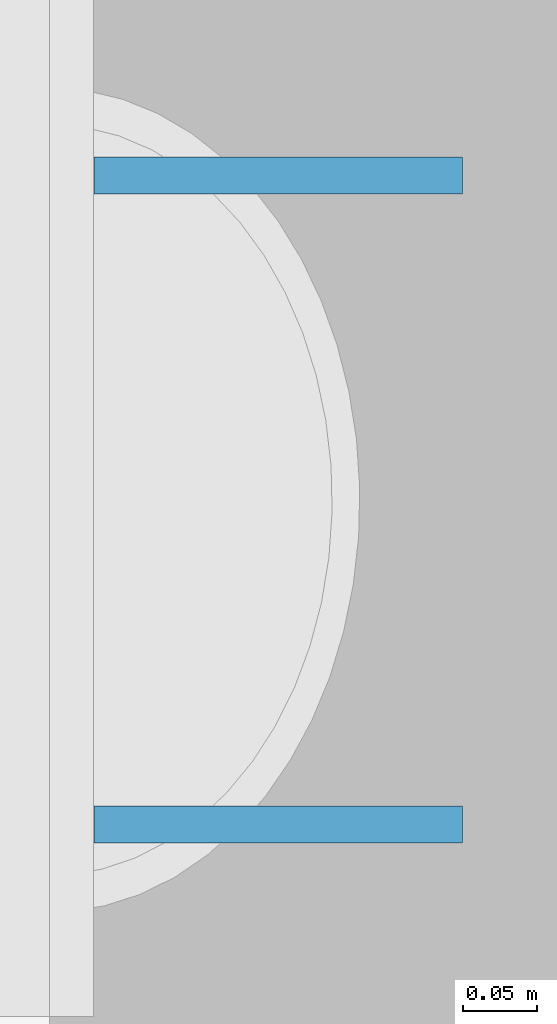
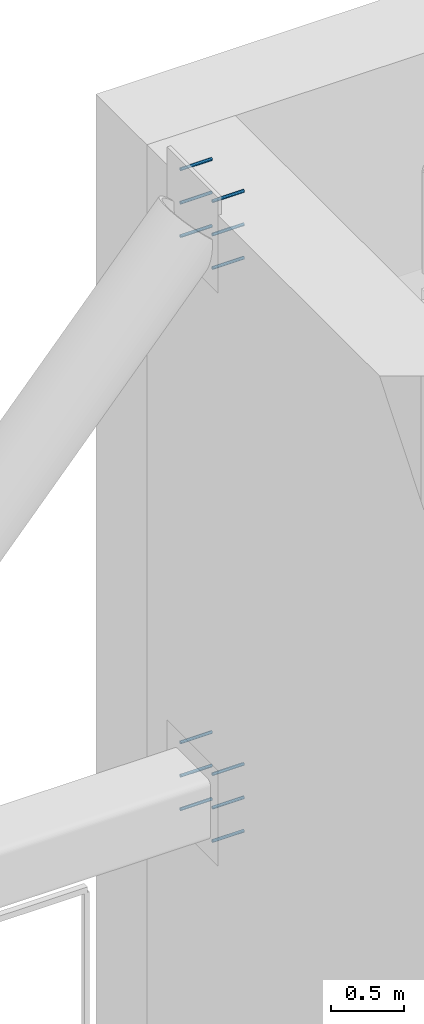
# One storey, part 7 of 11: 12 discrete accessories.
"""IFC4 building model written with IfcOpenShell, lengths in metres."""

from ifc_helpers import new_model, si_unit, direction, frame, origin, origin_2d, place, context, subcontext, project, spatial, circle, extrude, source, transform, mapped, material, material_profile, profile_set, type_object, element, save


model = new_model("IFC4")

# Units and contexts
model_context = context("Model", 3, precision=1e-05, world=origin(), true_north=direction((0.0, 1.0)))
body_context = subcontext(model_context, "Body", "Model", "MODEL_VIEW")
ifc_project = project(units=[si_unit("LENGTHUNIT", "METRE"), si_unit("AREAUNIT", "SQUARE_METRE"), si_unit("VOLUMEUNIT", "CUBIC_METRE"), si_unit("PLANEANGLEUNIT", "RADIAN"), si_unit("MASSUNIT", "GRAM", prefix="KILO")], contexts=[model_context])

# Site, building, storey
site_placement = place(None, origin())
site = spatial("IfcSite", under=ifc_project, at=site_placement, CompositionType="ELEMENT")
building_placement = place(site_placement, origin())
building = spatial("IfcBuilding", under=site, at=building_placement, Name="Trellis Farm Tower", CompositionType="ELEMENT")
storey_placement = place(building_placement, frame((0.0, 0.0, 212.699951171875)))
storey = spatial("IfcBuildingStorey", under=building, at=storey_placement, Name="L47", CompositionType="ELEMENT", Elevation=212.699951171875)

# Discrete accessories
ifc_material = material(Name="Steel S235J2", Category="steel")
ifc_material_profile = material_profile(ifc_material, circle(Radius=0.012451171875, at=origin_2d()), Name="Headed anchor stud 25x250")
ifc_profile_set = profile_set([ifc_material_profile], Name="Steel S235J2")
discrete_accessory_type = type_object("IfcDiscreteAccessoryType", Name="Headed anchor stud 25x250", PredefinedType="USERDEFINED", material=ifc_profile_set)
shared_shape = source(origin(), body_context, "Body", "SweptSolid", [
    extrude(circle(Radius=0.012451171875, at=origin_2d()), origin(), (0.0, 0.0, 1.0), 0.25),
])
for number, where, z_axis, x_axis, name in (
    (1, (-22.719970703125, 4.955078125, 2.469970703125), (1.0, 0.0, 0.0), (0.0, 1.0, 0.0), "Headed anchor stud"),
    (2, (-22.719970703125, 5.39501953125, 2.469970703125), (1.0, 0.0, 0.0), (0.0, 1.0, 0.0), "Headed anchor stud"),
    (3, (-22.719970703125, 4.955078125, 2.75), (1.0, 0.0, 0.0), (0.0, 1.0, 0.0), "Headed anchor stud"),
    (4, (-22.719970703125, 5.39501953125, 2.75), (1.0, 0.0, 0.0), (0.0, 1.0, 0.0), "Headed anchor stud"),
    (5, (-22.719970703125, 4.955078125, 3.030029296875), (1.0, 0.0, 0.0), (0.0, 1.0, 0.0), "Headed anchor stud"),
    (6, (-22.719970703125, 5.39501953125, 3.030029296875), (1.0, 0.0, 0.0), (0.0, 1.0, 0.0), "Headed anchor stud"),
    (7, (-22.719970703125, 4.955078125, 7.27001953125), (1.0, 0.0, 0.0), (0.0, 1.0, 0.0), "Headed anchor stud"),
    (8, (-22.719970703125, 5.39501953125, 7.27001953125), (1.0, 0.0, 0.0), (0.0, 1.0, 0.0), "Headed anchor stud"),
    (9, (-22.719970703125, 4.955078125, 7.550048828125), (1.0, 0.0, 0.0), (0.0, 1.0, 0.0), "Headed anchor stud"),
    (10, (-22.719970703125, 5.39501953125, 7.550048828125), (1.0, 0.0, 0.0), (0.0, 1.0, 0.0), "Headed anchor stud"),
    (11, (-22.719970703125, 4.955078125, 7.830078125), (1.0, 0.0, 0.0), (0.0, 1.0, 0.0), "Headed anchor stud"),
    (12, (-22.719970703125, 5.39501953125, 7.830078125), (1.0, 0.0, 0.0), (0.0, 1.0, 0.0), "Headed anchor stud"),
):
    element("IfcDiscreteAccessory", number, at=place(storey_placement, frame(where, z_axis=z_axis, x_axis=x_axis)), inside=storey, type_object=discrete_accessory_type, Name=name, ObjectType="Headed anchor stud", PredefinedType="USERDEFINED", context=body_context, shape_type="MappedRepresentation", body=[
        mapped(shared_shape, transform((0.0, 0.0, 0.0))),
    ])

save(model, "model.ifc")
